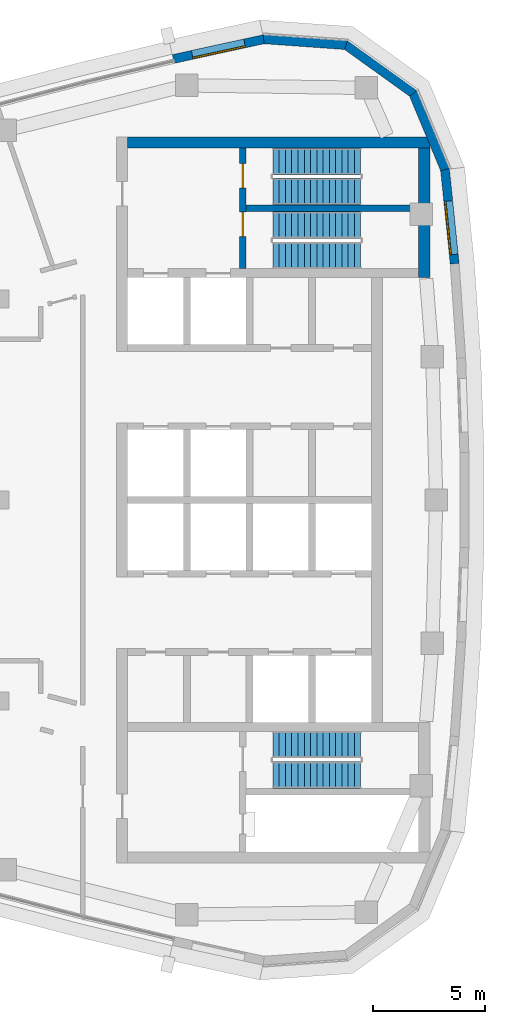
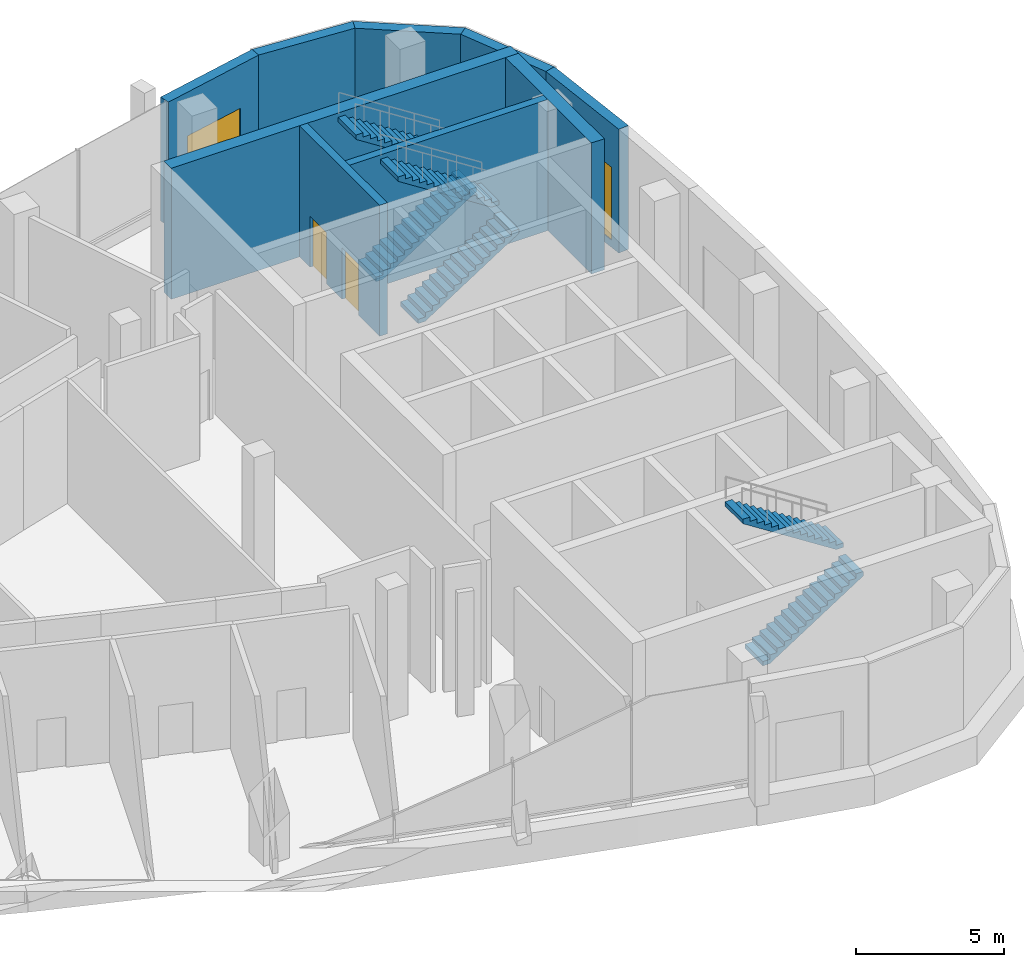
# One storey, part 10 of 15: 9 walls, 6 stair flights, 2 doors, 2 windows, 4 openings, 3 elements without a shape of their own.
"""IFC4 building model written with IfcOpenShell, lengths in metres."""

import ifcopenshell
import ifcopenshell.guid

model = None  # the IFC model being written
_history = None  # IfcOwnerHistory: only IFC2X3 demands one
_inside = {}  # id of a spatial element -> (the spatial element, [elements in it])
_under = {}  # id of a project, library or spatial element -> (it, [spatial elements below it])
_declared = {}  # id of a project -> (the project, [libraries it declares])
_typed = {}  # id of a type object -> (the type object, [elements of that type])
_made_of = {}  # id of a material, layer set ... -> (it, [elements and type objects made of it])


def new_model(schema):
    """Start an empty IFC model of exactly this schema.

    Asked for "IFC4X3", IfcOpenShell would pick the latest addendum, in which some entities
    have other attributes; the version numbers below select the first issue.
    IFC2X3 requires an IfcOwnerHistory on every rooted entity: one is made here for all.
    """
    global model, _history
    if schema == "IFC4X3":
        model = ifcopenshell.file(schema_version=(4, 3, 0, 0))
    else:
        model = ifcopenshell.file(schema=schema)
    _inside.clear()
    _under.clear()
    _declared.clear()
    _typed.clear()
    _made_of.clear()
    _history = None
    if model.schema == "IFC2X3":
        org = make("IfcOrganization", Name="unknown")
        user = make(
            "IfcPersonAndOrganization",
            ThePerson=make("IfcPerson", FamilyName="unknown"),
            TheOrganization=org,
        )
        app = make(
            "IfcApplication",
            ApplicationDeveloper=org,
            Version="unknown",
            ApplicationFullName="unknown",
            ApplicationIdentifier="unknown",
        )
        _history = make(
            "IfcOwnerHistory",
            OwningUser=user,
            OwningApplication=app,
            ChangeAction="ADDED",
            CreationDate=0,
        )
    return model


def make(cls, **values):
    """One entity of the class cls with the attributes given. An attribute that is None is left unset."""
    return model.create_entity(
        cls, **{name: value for name, value in values.items() if value is not None}
    )


def rooted(cls, **values):
    """An entity with a GlobalId (a new one), such as an element, a storey or a relation."""
    return make(cls, GlobalId=ifcopenshell.guid.new(), OwnerHistory=_history, **values)


def si_unit(unit_type, name, prefix=None):
    """IfcSIUnit, for example si_unit("LENGTHUNIT", "METRE", prefix="MILLI")."""
    return make("IfcSIUnit", UnitType=unit_type, Prefix=prefix, Name=name)


def assignment(units):
    """IfcUnitAssignment: the units of a project."""
    return None if units is None else make("IfcUnitAssignment", Units=units)


def point(xyz):
    """IfcCartesianPoint."""
    return None if xyz is None else make("IfcCartesianPoint", Coordinates=xyz)


def direction(xyz):
    """IfcDirection."""
    return None if xyz is None else make("IfcDirection", DirectionRatios=xyz)


def frame(location, z_axis=None, x_axis=None):
    """IfcAxis2Placement3D, a coordinate frame: its origin and axes. An axis left out is left unset."""
    return make(
        "IfcAxis2Placement3D",
        Location=point(location),
        Axis=direction(z_axis),
        RefDirection=direction(x_axis),
    )


def frame_2d(location, x_axis=None):
    """IfcAxis2Placement2D, a coordinate frame in the plane: its origin and x axis."""
    return make(
        "IfcAxis2Placement2D", Location=point(location), RefDirection=direction(x_axis)
    )


def origin():
    """The frame at (0, 0, 0) with its axes left unset."""
    return frame((0.0, 0.0, 0.0))


def place(relative_to, where):
    """IfcLocalPlacement: puts the frame where relative to a parent placement (None: the world)."""
    return make(
        "IfcLocalPlacement", PlacementRelTo=relative_to, RelativePlacement=where
    )


def context(
    kind, dimensions, precision=None, world=None, true_north=None, identifier=None
):
    """IfcGeometricRepresentationContext, for example the 3D "Model" context."""
    return make(
        "IfcGeometricRepresentationContext",
        ContextIdentifier=identifier,
        ContextType=kind,
        CoordinateSpaceDimension=dimensions,
        Precision=precision,
        WorldCoordinateSystem=world,
        TrueNorth=true_north,
    )


def subcontext(parent, identifier, kind, view, scale=None):
    """IfcGeometricRepresentationSubContext, for example "Body" below "Model"."""
    return make(
        "IfcGeometricRepresentationSubContext",
        ContextIdentifier=identifier,
        ContextType=kind,
        ParentContext=parent,
        TargetScale=scale,
        TargetView=view,
    )


def project(units=None, contexts=None):
    """IfcProject with its units and contexts."""
    return rooted(
        "IfcProject",
        Name="project",
        RepresentationContexts=contexts,
        UnitsInContext=assignment(units),
    )


def spatial(cls, under=None, at=None, **own):
    """A site, building, storey or space (cls), placed at a placement, below another one or the project."""
    s = rooted(cls, ObjectPlacement=at, **own)
    if under is not None:
        _under.setdefault(under.id(), (under, []))[1].append(s)
    return s


def polyline(points):
    """IfcPolyline through the points."""
    return make("IfcPolyline", Points=[point(p) for p in points])


def profile(cls, at=None, kind="AREA", **sizes):
    """A parametric profile (cls). Its sizes go by their IFC names, for example OverallWidth=200.0."""
    return make(cls, ProfileType=kind, Position=at, **sizes)


def rectangle(**sizes):
    """IfcRectangleProfileDef."""
    return profile("IfcRectangleProfileDef", **sizes)


def outline(outer, holes=None, kind="AREA"):
    """IfcArbitraryClosedProfileDef: a profile drawn as a closed curve; with holes, ...WithVoids."""
    if holes is None:
        return make("IfcArbitraryClosedProfileDef", ProfileType=kind, OuterCurve=outer)
    return make(
        "IfcArbitraryProfileDefWithVoids",
        ProfileType=kind,
        OuterCurve=outer,
        InnerCurves=holes,
    )


def extrude(swept, where, along, depth):
    """IfcExtrudedAreaSolid: the profile swept, set in the frame where, extruded along a direction by depth."""
    return make(
        "IfcExtrudedAreaSolid",
        SweptArea=swept,
        Position=where,
        ExtrudedDirection=direction(along),
        Depth=depth,
    )


def shape(context_of_items, identifier, shape_type, items):
    """IfcShapeRepresentation: the items that make up one representation, for example the "Body"."""
    return make(
        "IfcShapeRepresentation",
        ContextOfItems=context_of_items,
        RepresentationIdentifier=identifier,
        RepresentationType=shape_type,
        Items=items,
    )


def material(Name=None, Category=None):
    """IfcMaterial."""
    return make("IfcMaterial", Name=Name, Category=Category)


def layer(
    of_material, thickness, ventilated=None, Name=None, Category=None, Priority=None
):
    """IfcMaterialLayer: one layer of a wall or slab, of a material (None: an air gap)."""
    return make(
        "IfcMaterialLayer",
        Material=of_material,
        LayerThickness=thickness,
        IsVentilated=ventilated,
        Name=Name,
        Category=Category,
        Priority=Priority,
    )


def layer_set(layers, Name=None):
    """IfcMaterialLayerSet."""
    return make("IfcMaterialLayerSet", MaterialLayers=layers, LayerSetName=Name)


def made_of(thing, what):
    """Note that an element or type object is made of a material, layer set ...; save() writes the relation."""
    if what is not None:
        _made_of.setdefault(what.id(), (what, []))[1].append(thing)
    return thing


def type_object(cls, material=None, **own):
    """A type object (cls), such as IfcWallType, which elements share."""
    return made_of(rooted(cls, **own), material)


def element(
    cls,
    number,
    at=None,
    inside=None,
    cuts=None,
    type_object=None,
    material=None,
    context=None,
    identifier="Body",
    shape_type=None,
    held_by="IfcProductDefinitionShape",
    body=None,
    shapes=None,
    **own,
):
    """One element of the class cls, such as IfcWall. Its Tag is "e" and its number.

    at: its placement. inside: the storey or other place that contains it. cuts: it is an
    opening in that element (IfcRelVoidsElement). A single representation is given by context,
    identifier, shape_type and body (its items); several are given by shapes. held_by: the class
    of the entity that holds the representations. save() writes the other relations.
    """
    e = rooted(cls, Tag="e%d" % number, ObjectPlacement=at, **own)
    if body is not None:
        shapes = [shape(context, identifier, shape_type, body)]
    if shapes is not None:
        e.Representation = make(held_by, Representations=shapes)
    if inside is not None:
        _inside.setdefault(inside.id(), (inside, []))[1].append(e)
    if cuts is not None:
        rooted(
            "IfcRelVoidsElement", RelatingBuildingElement=cuts, RelatedOpeningElement=e
        )
    if type_object is not None:
        _typed.setdefault(type_object.id(), (type_object, []))[1].append(e)
    return made_of(e, material)


def fill(opening, filler):
    """IfcRelFillsElement: the door or window that sits in an opening."""
    return rooted(
        "IfcRelFillsElement",
        RelatingOpeningElement=opening,
        RelatedBuildingElement=filler,
    )


def aggregate(whole, parts):
    """IfcRelAggregates: a whole, such as a stair, and the parts it consists of."""
    return rooted("IfcRelAggregates", RelatingObject=whole, RelatedObjects=parts)


def save(model, path):
    """Write the relations noted so far, then the file.

    IfcRelAggregates (storeys below a building ...), IfcRelContainedInSpatialStructure (elements
    in a storey), IfcRelDefinesByType, IfcRelAssociatesMaterial and IfcRelDeclares: one each for
    every whole, place, type object, material and project.
    """
    for whole, parts in _under.values():
        aggregate(whole, parts)
    for where, things in _inside.values():
        rooted(
            "IfcRelContainedInSpatialStructure",
            RelatedElements=things,
            RelatingStructure=where,
        )
    for kind, things in _typed.values():
        rooted("IfcRelDefinesByType", RelatedObjects=things, RelatingType=kind)
    for what, things in _made_of.values():
        rooted("IfcRelAssociatesMaterial", RelatedObjects=things, RelatingMaterial=what)
    for by, libraries in _declared.values():
        rooted("IfcRelDeclares", RelatingContext=by, RelatedDefinitions=libraries)
    model.write(path)


model = new_model("IFC4")

# Units and contexts
model_context = context("Model", 3, precision=1e-05, world=origin(), true_north=direction((0.0, 1.0)))
body_context = subcontext(model_context, "Body", "Model", "MODEL_VIEW")
ifc_project = project(units=[si_unit("LENGTHUNIT", "METRE"), si_unit("AREAUNIT", "SQUARE_METRE"), si_unit("VOLUMEUNIT", "CUBIC_METRE"), si_unit("PLANEANGLEUNIT", "RADIAN"), si_unit("MASSUNIT", "GRAM", prefix="KILO")], contexts=[model_context])

# Site, building, storey
site_placement = place(None, origin())
site = spatial("IfcSite", under=ifc_project, at=site_placement, CompositionType="ELEMENT")
building_placement = place(site_placement, origin())
building = spatial("IfcBuilding", under=site, at=building_placement, Name="Ostrand Prow Hotel Tower", CompositionType="ELEMENT")
storey_placement = place(building_placement, frame((0.0, 0.0, 313.199951171875)))
storey = spatial("IfcBuildingStorey", under=building, at=storey_placement, Name="C2", CompositionType="ELEMENT", Elevation=313.199951171875)

# Wall, openings, doors
ifc_material_1 = material(Name="Concrete C40/50", Category="concrete")
ifc_layer_1 = layer(ifc_material_1, 0.300048828125)
ifc_layer_set_1 = layer_set([ifc_layer_1], Name="Concrete C40/50")
wall_type_1 = type_object("IfcWallType", Name="Core wall 300 C40/50", PredefinedType="SHEAR", material=ifc_layer_set_1)
wall_1_placement = place(storey_placement, frame((55.85009765625, 10.35009765625, 0.0), z_axis=(0.0, 0.0, 1.0), x_axis=(0.0, 1.0, 0.0)))
wall_1 = element("IfcWall", 1, at=wall_1_placement, inside=storey, type_object=wall_type_1, Name="Core wall PW-VN", PredefinedType="SHEAR", context=body_context, shape_type="SweptSolid", body=[
    extrude(rectangle(XDim=5.39990234375, YDim=0.300048828125, at=frame_2d((2.699951171875, 0.0))), origin(), (0.0, 0.0, 1.0), 5.400146484375),
])
opening_1_placement = place(wall_1_placement, frame((1.429931640625, 0.0, 0.0)))
opening_1 = element("IfcOpeningElement", 2, at=opening_1_placement, cuts=wall_1, Name="Opening FD1", PredefinedType="OPENING", context=body_context, shape_type="SweptSolid", body=[
    extrude(rectangle(XDim=1.10009765625, YDim=2.10009765625, at=frame_2d((0.550048828125, 1.050048828125))), frame((0.0, 0.159912109375, 0.0), z_axis=(0.0, -1.0, 0.0), x_axis=(1.0, 0.0, 0.0)), (0.0, 0.0, 1.0), 0.320068359375),
])
opening_2_placement = place(wall_1_placement, frame((3.60009765625, 0.0, 0.0)))
opening_2 = element("IfcOpeningElement", 3, at=opening_2_placement, cuts=wall_1, Name="Opening FD1", PredefinedType="OPENING", context=body_context, shape_type="SweptSolid", body=[
    extrude(rectangle(XDim=1.10009765625, YDim=2.10009765625, at=frame_2d((0.550048828125, 1.050048828125))), frame((0.0, 0.159912109375, 0.0), z_axis=(0.0, -1.0, 0.0), x_axis=(1.0, 0.0, 0.0)), (0.0, 0.0, 1.0), 0.320068359375),
])
ifc_material_2 = material(Name="Steel fire door", Category="steel")
door_type = type_object("IfcDoorType", Name="Fire door 1100 EI120", OperationType="SINGLE_SWING_RIGHT", PredefinedType="DOOR", material=ifc_material_2)
door_1_placement = place(opening_1_placement, origin())
door_1 = element("IfcDoor", 4, at=door_1_placement, inside=storey, type_object=door_type, Name="FIRE DOOR", OperationType="SINGLE_SWING_RIGHT", OverallHeight=2.10009765625, OverallWidth=1.10009765625, PredefinedType="DOOR", context=body_context, shape_type="SweptSolid", body=[
    extrude(rectangle(XDim=1.10009765625, YDim=2.10009765625, at=frame_2d((0.550048828125, 1.050048828125))), frame((0.0, 0.02490234375, 0.0), z_axis=(0.0, -1.0, 0.0), x_axis=(1.0, 0.0, 0.0)), (0.0, 0.0, 1.0), 0.050048828125),
])
fill(opening_1, door_1)
door_2_placement = place(opening_2_placement, origin())
door_2 = element("IfcDoor", 5, at=door_2_placement, inside=storey, type_object=door_type, Name="FIRE DOOR", OperationType="SINGLE_SWING_RIGHT", OverallHeight=2.10009765625, OverallWidth=1.10009765625, PredefinedType="DOOR", context=body_context, shape_type="SweptSolid", body=[
    extrude(rectangle(XDim=1.10009765625, YDim=2.10009765625, at=frame_2d((0.550048828125, 1.050048828125))), frame((0.0, 0.02490234375, 0.0), z_axis=(0.0, -1.0, 0.0), x_axis=(1.0, 0.0, 0.0)), (0.0, 0.0, 1.0), 0.050048828125),
])
fill(opening_2, door_2)

# Walls
wall_2_placement = place(storey_placement, frame((56.0, 13.050048828125, 0.0), z_axis=(0.0, 0.0, 1.0), x_axis=(1.0, 0.0, 0.0)))
element("IfcWall", 6, at=wall_2_placement, inside=storey, type_object=wall_type_1, Name="Core wall PW-ST13", PredefinedType="SHEAR", context=body_context, shape_type="SweptSolid", body=[
    extrude(rectangle(XDim=7.719970703125, YDim=0.300048828125, at=frame_2d((3.85986328125, 0.0))), origin(), (0.0, 0.0, 1.0), 5.400146484375),
])
ifc_material_3 = material(Name="Concrete C40/50", Category="concrete")
ifc_layer_2 = layer(ifc_material_3, 0.5)
ifc_layer_set_2 = layer_set([ifc_layer_2], Name="Concrete C40/50")
wall_type_2 = type_object("IfcWallType", Name="Core wall 500 C40/50", PredefinedType="SHEAR", material=ifc_layer_set_2)
wall_3_placement = place(storey_placement, frame((50.699951171875, 16.0, 0.0), z_axis=(0.0, 0.0, 1.0), x_axis=(1.0, 0.0, 0.0)))
element("IfcWall", 7, at=wall_3_placement, inside=storey, type_object=wall_type_2, Name="Core wall CW-N", PredefinedType="SHEAR", context=body_context, shape_type="SweptSolid", body=[
    extrude(rectangle(XDim=13.52001953125, YDim=0.5, at=frame_2d((6.760009765625, 0.0))), origin(), (0.0, 0.0, 1.0), 5.400146484375),
])
wall_4_placement = place(storey_placement, frame((63.969970703125, 9.949951171875, 0.0), z_axis=(0.0, 0.0, 1.0), x_axis=(0.0, 1.0, 0.0)))
element("IfcWall", 8, at=wall_4_placement, inside=storey, type_object=wall_type_2, Name="Core wall CW-E-N", PredefinedType="SHEAR", context=body_context, shape_type="SweptSolid", body=[
    extrude(rectangle(XDim=5.800048828125, YDim=0.5, at=frame_2d((2.89990234375, 0.0))), origin(), (0.0, 0.0, 1.0), 5.400146484375),
])

# Wall, opening, window
ifc_material_4 = material(Name="Precast concrete C40/50", Category="concrete")
ifc_layer_3 = layer(ifc_material_4, 0.39990234375)
ifc_layer_set_3 = layer_set([ifc_layer_3], Name="Precast concrete C40/50")
wall_type_3 = type_object("IfcWallType", Name="Stone-faced precast wall 400 mm", PredefinedType="NOTDEFINED", material=ifc_layer_set_3)
wall_5_placement = place(storey_placement, frame((65.3310546875, 10.5712890625, 0.0), z_axis=(0.0, 0.0, 1.0), x_axis=(-0.102249826987, 0.994758751096, 0.0)))
wall_5 = element("IfcWall", 9, at=wall_5_placement, inside=storey, type_object=wall_type_3, Name="Stone-faced wall back 11", PredefinedType="NOTDEFINED", context=body_context, shape_type="SweptSolid", body=[
    extrude(outline(polyline([(-0.00341796875, -0.199951171875), (4.262939453125, -0.199951171875), (4.203857421875, 0.199951171875), (0.00341796875, 0.199951171875), (-0.00341796875, -0.199951171875)])), origin(), (0.0, 0.0, 1.0), 5.10009765625),
])
opening_3_placement = place(wall_5_placement, frame((0.416748046875, 0.0, 0.300048828125)))
opening_3 = element("IfcOpeningElement", 10, at=opening_3_placement, cuts=wall_5, Name="Opening WR1", PredefinedType="OPENING", context=body_context, shape_type="SweptSolid", body=[
    extrude(rectangle(XDim=2.39990234375, YDim=3.0, at=frame_2d((1.199951171875, 1.5))), frame((0.0, 0.2099609375, 0.0), z_axis=(0.0, -1.0, 0.0), x_axis=(1.0, 0.0, 0.0)), (0.0, 0.0, 1.0), 0.419921875),
])
ifc_material_5 = material(Name="Insulated glass in bronze frame", Category="glass")
window_type = type_object("IfcWindowType", Name="Restaurant window 2400x3000", PartitioningType="SINGLE_PANEL", PredefinedType="WINDOW", material=ifc_material_5)
window_1_placement = place(opening_3_placement, origin())
window_1 = element("IfcWindow", 11, at=window_1_placement, inside=storey, type_object=window_type, Name="Window back 11.1", OverallHeight=3.0, OverallWidth=2.39990234375, PartitioningType="SINGLE_PANEL", PredefinedType="WINDOW", context=body_context, shape_type="SweptSolid", body=[
    extrude(rectangle(XDim=2.39990234375, YDim=3.0, at=frame_2d((1.199951171875, 1.5))), frame((0.0, 0.169921875, 0.0), z_axis=(0.0, -1.0, 0.0), x_axis=(1.0, 0.0, 0.0)), (0.0, 0.0, 1.0), 0.06005859375),
])
fill(opening_3, window_1)

# Walls
wall_6_placement = place(storey_placement, frame((64.898193359375, 14.782470703125, 0.0), z_axis=(0.0, 0.0, 1.0), x_axis=(-0.385285857918, 0.922797273343, 0.0)))
element("IfcWall", 12, at=wall_6_placement, inside=storey, type_object=wall_type_3, Name="Stone-faced wall back 12", PredefinedType="NOTDEFINED", context=body_context, shape_type="SweptSolid", body=[
    extrude(outline(polyline([(-0.029541015625, -0.199951171875), (3.75341796875, -0.199951171875), (3.64013671875, 0.199951171875), (0.029541015625, 0.199951171875), (-0.029541015625, -0.199951171875)])), origin(), (0.0, 0.0, 1.0), 5.10009765625),
])
wall_7_placement = place(storey_placement, frame((63.473876953125, 18.19384765625, 0.0), z_axis=(0.0, 0.0, 1.0), x_axis=(-0.811962548682, 0.583709533533, 0.0)))
element("IfcWall", 13, at=wall_7_placement, inside=storey, type_object=wall_type_3, Name="Stone-faced wall back 13", PredefinedType="NOTDEFINED", context=body_context, shape_type="SweptSolid", body=[
    extrude(outline(polyline([(-0.056640625, -0.199951171875), (3.753173828125, -0.199951171875), (3.639892578125, 0.199951171875), (0.056640625, 0.199951171875), (-0.056640625, -0.199951171875)])), origin(), (0.0, 0.0, 1.0), 5.10009765625),
])
wall_8_placement = place(storey_placement, frame((60.472412109375, 20.3515625, 0.0), z_axis=(0.0, 0.0, 1.0), x_axis=(-0.99746272096, 0.071190731806, 0.0)))
element("IfcWall", 14, at=wall_8_placement, inside=storey, type_object=wall_type_3, Name="Stone-faced wall back 14", PredefinedType="NOTDEFINED", context=body_context, shape_type="SweptSolid", body=[
    extrude(outline(polyline([(-0.056640625, -0.199951171875), (3.7255859375, -0.199951171875), (3.66796875, 0.199951171875), (0.056640625, 0.199951171875), (-0.056640625, -0.199951171875)])), origin(), (0.0, 0.0, 1.0), 5.10009765625),
])

# Wall, opening, window
wall_9_placement = place(storey_placement, frame((56.784912109375, 20.61474609375, 0.0), z_axis=(0.0, 0.0, 1.0), x_axis=(-0.977020225348, -0.213146614471, 0.0)))
wall_9 = element("IfcWall", 15, at=wall_9_placement, inside=storey, type_object=wall_type_3, Name="Stone-faced wall back 15", PredefinedType="NOTDEFINED", context=body_context, shape_type="SweptSolid", body=[
    extrude(outline(polyline([(-0.02880859375, -0.199951171875), (4.141845703125, -0.199951171875), (4.141845703125, 0.199951171875), (0.02880859375, 0.199951171875), (-0.02880859375, -0.199951171875)])), origin(), (0.0, 0.0, 1.0), 5.10009765625),
])
opening_4_placement = place(wall_9_placement, frame((0.870849609375, 0.0, 0.300048828125)))
opening_4 = element("IfcOpeningElement", 16, at=opening_4_placement, cuts=wall_9, Name="Opening WR1", PredefinedType="OPENING", context=body_context, shape_type="SweptSolid", body=[
    extrude(rectangle(XDim=2.39990234375, YDim=3.0, at=frame_2d((1.199951171875, 1.5))), frame((0.0, 0.2099609375, 0.0), z_axis=(0.0, -1.0, 0.0), x_axis=(1.0, 0.0, 0.0)), (0.0, 0.0, 1.0), 0.419921875),
])
window_2_placement = place(opening_4_placement, origin())
window_2 = element("IfcWindow", 17, at=window_2_placement, inside=storey, type_object=window_type, Name="Window back 15.1", OverallHeight=3.0, OverallWidth=2.39990234375, PartitioningType="SINGLE_PANEL", PredefinedType="WINDOW", context=body_context, shape_type="SweptSolid", body=[
    extrude(rectangle(XDim=2.39990234375, YDim=3.0, at=frame_2d((1.199951171875, 1.5))), frame((0.0, 0.169921875, 0.0), z_axis=(0.0, -1.0, 0.0), x_axis=(1.0, 0.0, 0.0)), (0.0, 0.0, 1.0), 0.06005859375),
])
fill(opening_4, window_2)

# Stair, stair flights
ifc_material_6 = material(Name="Concrete C40/50", Category="concrete")
stair_type = type_object("IfcStairType", Name="Exit stair 1200 upper zone", PredefinedType="HALF_TURN_STAIR", material=ifc_material_6)
stair_1_placement = place(storey_placement, origin())
stair_1 = element("IfcStair", 18, at=stair_1_placement, inside=storey, type_object=stair_type, Name="C2 ST1C", PredefinedType="HALF_TURN_STAIR")
ifc_material_7 = material(Name="Concrete C40/50", Category="concrete")
stair_flight_type = type_object("IfcStairFlightType", Name="Stair flight 1200 concrete", PredefinedType="STRAIGHT", material=ifc_material_7)
stair_flight_1_placement = place(storey_placement, frame((57.199951171875, 10.949951171875, 0.0), z_axis=(0.0, 0.0, 1.0), x_axis=(1.0, 0.0, 0.0)))
stair_flight_1 = element("IfcStairFlight", 19, at=stair_flight_1_placement, type_object=stair_flight_type, Name="ST1C flight 1", NumberOfRisers=15, NumberOfTreads=14, PredefinedType="STRAIGHT", RiserHeight=0.18, TreadLength=0.28, context=body_context, shape_type="SweptSolid", body=[
    extrude(outline(polyline([(0.0, 0.0), (0.0, 0.179931640625), (0.280029296875, 0.179931640625), (0.280029296875, 0.360107421875), (0.56005859375, 0.360107421875), (0.56005859375, 0.5400390625), (0.840087890625, 0.5400390625), (0.840087890625, 0.719970703125), (1.1201171875, 0.719970703125), (1.1201171875, 0.89990234375), (1.39990234375, 0.89990234375), (1.39990234375, 1.080078125), (1.679931640625, 1.080078125), (1.679931640625, 1.260009765625), (1.9599609375, 1.260009765625), (1.9599609375, 1.43994140625), (2.239990234375, 1.43994140625), (2.239990234375, 1.6201171875), (2.52001953125, 1.6201171875), (2.52001953125, 1.800048828125), (2.800048828125, 1.800048828125), (2.800048828125, 1.97998046875), (3.080078125, 1.97998046875), (3.080078125, 2.159912109375), (3.360107421875, 2.159912109375), (3.360107421875, 2.340087890625), (3.639892578125, 2.340087890625), (3.639892578125, 2.52001953125), (3.919921875, 2.52001953125), (3.919921875, 2.699951171875), (3.919921875, 2.341796875), (0.277099609375, 0.0), (0.0, 0.0)])), frame((0.0, 0.60009765625, 0.0), z_axis=(0.0, -1.0, 0.0), x_axis=(1.0, 0.0, 0.0)), (0.0, 0.0, 1.0), 1.199951171875),
])
stair_flight_2_placement = place(storey_placement, frame((61.1201171875, 12.300048828125, 2.699951171875), z_axis=(0.0, 0.0, 1.0), x_axis=(-1.0, 0.0, 0.0)))
stair_flight_2 = element("IfcStairFlight", 20, at=stair_flight_2_placement, type_object=stair_flight_type, Name="ST1C flight 2", NumberOfRisers=15, NumberOfTreads=14, PredefinedType="STRAIGHT", RiserHeight=0.18, TreadLength=0.28, context=body_context, shape_type="SweptSolid", body=[
    extrude(outline(polyline([(0.0, 0.0), (0.0, 0.179931640625), (0.280029296875, 0.179931640625), (0.280029296875, 0.360107421875), (0.56005859375, 0.360107421875), (0.56005859375, 0.5400390625), (0.840087890625, 0.5400390625), (0.840087890625, 0.719970703125), (1.1201171875, 0.719970703125), (1.1201171875, 0.89990234375), (1.39990234375, 0.89990234375), (1.39990234375, 1.080078125), (1.679931640625, 1.080078125), (1.679931640625, 1.260009765625), (1.9599609375, 1.260009765625), (1.9599609375, 1.43994140625), (2.239990234375, 1.43994140625), (2.239990234375, 1.6201171875), (2.52001953125, 1.6201171875), (2.52001953125, 1.800048828125), (2.800048828125, 1.800048828125), (2.800048828125, 1.97998046875), (3.080078125, 1.97998046875), (3.080078125, 2.159912109375), (3.360107421875, 2.159912109375), (3.360107421875, 2.340087890625), (3.639892578125, 2.340087890625), (3.639892578125, 2.52001953125), (3.919921875, 2.52001953125), (3.919921875, 2.699951171875), (3.919921875, 2.341796875), (0.277099609375, 0.0), (0.0, 0.0)])), frame((0.0, 0.60009765625, 0.0), z_axis=(0.0, -1.0, 0.0), x_axis=(1.0, 0.0, 0.0)), (0.0, 0.0, 1.0), 1.199951171875),
])
aggregate(stair_1, [stair_flight_1, stair_flight_2])

stair_2_placement = place(storey_placement, origin())
stair_2 = element("IfcStair", 21, at=stair_2_placement, inside=storey, type_object=stair_type, Name="C2 ST3C", PredefinedType="HALF_TURN_STAIR")
stair_flight_3_placement = place(storey_placement, frame((57.199951171875, 13.800048828125, 0.0), z_axis=(0.0, 0.0, 1.0), x_axis=(1.0, 0.0, 0.0)))
stair_flight_3 = element("IfcStairFlight", 22, at=stair_flight_3_placement, type_object=stair_flight_type, Name="ST3C flight 1", NumberOfRisers=15, NumberOfTreads=14, PredefinedType="STRAIGHT", RiserHeight=0.18, TreadLength=0.28, context=body_context, shape_type="SweptSolid", body=[
    extrude(outline(polyline([(0.0, 0.0), (0.0, 0.179931640625), (0.280029296875, 0.179931640625), (0.280029296875, 0.360107421875), (0.56005859375, 0.360107421875), (0.56005859375, 0.5400390625), (0.840087890625, 0.5400390625), (0.840087890625, 0.719970703125), (1.1201171875, 0.719970703125), (1.1201171875, 0.89990234375), (1.39990234375, 0.89990234375), (1.39990234375, 1.080078125), (1.679931640625, 1.080078125), (1.679931640625, 1.260009765625), (1.9599609375, 1.260009765625), (1.9599609375, 1.43994140625), (2.239990234375, 1.43994140625), (2.239990234375, 1.6201171875), (2.52001953125, 1.6201171875), (2.52001953125, 1.800048828125), (2.800048828125, 1.800048828125), (2.800048828125, 1.97998046875), (3.080078125, 1.97998046875), (3.080078125, 2.159912109375), (3.360107421875, 2.159912109375), (3.360107421875, 2.340087890625), (3.639892578125, 2.340087890625), (3.639892578125, 2.52001953125), (3.919921875, 2.52001953125), (3.919921875, 2.699951171875), (3.919921875, 2.341796875), (0.277099609375, 0.0), (0.0, 0.0)])), frame((0.0, 0.60009765625, 0.0), z_axis=(0.0, -1.0, 0.0), x_axis=(1.0, 0.0, 0.0)), (0.0, 0.0, 1.0), 1.199951171875),
])
stair_flight_4_placement = place(storey_placement, frame((61.1201171875, 15.14990234375, 2.699951171875), z_axis=(0.0, 0.0, 1.0), x_axis=(-1.0, 0.0, 0.0)))
stair_flight_4 = element("IfcStairFlight", 23, at=stair_flight_4_placement, type_object=stair_flight_type, Name="ST3C flight 2", NumberOfRisers=15, NumberOfTreads=14, PredefinedType="STRAIGHT", RiserHeight=0.18, TreadLength=0.28, context=body_context, shape_type="SweptSolid", body=[
    extrude(outline(polyline([(0.0, 0.0), (0.0, 0.179931640625), (0.280029296875, 0.179931640625), (0.280029296875, 0.360107421875), (0.56005859375, 0.360107421875), (0.56005859375, 0.5400390625), (0.840087890625, 0.5400390625), (0.840087890625, 0.719970703125), (1.1201171875, 0.719970703125), (1.1201171875, 0.89990234375), (1.39990234375, 0.89990234375), (1.39990234375, 1.080078125), (1.679931640625, 1.080078125), (1.679931640625, 1.260009765625), (1.9599609375, 1.260009765625), (1.9599609375, 1.43994140625), (2.239990234375, 1.43994140625), (2.239990234375, 1.6201171875), (2.52001953125, 1.6201171875), (2.52001953125, 1.800048828125), (2.800048828125, 1.800048828125), (2.800048828125, 1.97998046875), (3.080078125, 1.97998046875), (3.080078125, 2.159912109375), (3.360107421875, 2.159912109375), (3.360107421875, 2.340087890625), (3.639892578125, 2.340087890625), (3.639892578125, 2.52001953125), (3.919921875, 2.52001953125), (3.919921875, 2.699951171875), (3.919921875, 2.341796875), (0.277099609375, 0.0), (0.0, 0.0)])), frame((0.0, 0.60009765625, 0.0), z_axis=(0.0, -1.0, 0.0), x_axis=(1.0, 0.0, 0.0)), (0.0, 0.0, 1.0), 1.199951171875),
])
aggregate(stair_2, [stair_flight_3, stair_flight_4])

stair_3_placement = place(storey_placement, origin())
stair_3 = element("IfcStair", 24, at=stair_3_placement, inside=storey, type_object=stair_type, Name="C2 ST2C", PredefinedType="HALF_TURN_STAIR")
stair_flight_5_placement = place(storey_placement, frame((57.199951171875, -12.300048828125, 0.0), z_axis=(0.0, 0.0, 1.0), x_axis=(1.0, 0.0, 0.0)))
stair_flight_5 = element("IfcStairFlight", 25, at=stair_flight_5_placement, type_object=stair_flight_type, Name="ST2C flight 1", NumberOfRisers=15, NumberOfTreads=14, PredefinedType="STRAIGHT", RiserHeight=0.18, TreadLength=0.28, context=body_context, shape_type="SweptSolid", body=[
    extrude(outline(polyline([(0.0, 0.0), (0.0, 0.179931640625), (0.280029296875, 0.179931640625), (0.280029296875, 0.360107421875), (0.56005859375, 0.360107421875), (0.56005859375, 0.5400390625), (0.840087890625, 0.5400390625), (0.840087890625, 0.719970703125), (1.1201171875, 0.719970703125), (1.1201171875, 0.89990234375), (1.39990234375, 0.89990234375), (1.39990234375, 1.080078125), (1.679931640625, 1.080078125), (1.679931640625, 1.260009765625), (1.9599609375, 1.260009765625), (1.9599609375, 1.43994140625), (2.239990234375, 1.43994140625), (2.239990234375, 1.6201171875), (2.52001953125, 1.6201171875), (2.52001953125, 1.800048828125), (2.800048828125, 1.800048828125), (2.800048828125, 1.97998046875), (3.080078125, 1.97998046875), (3.080078125, 2.159912109375), (3.360107421875, 2.159912109375), (3.360107421875, 2.340087890625), (3.639892578125, 2.340087890625), (3.639892578125, 2.52001953125), (3.919921875, 2.52001953125), (3.919921875, 2.699951171875), (3.919921875, 2.341796875), (0.277099609375, 0.0), (0.0, 0.0)])), frame((0.0, 0.60009765625, 0.0), z_axis=(0.0, -1.0, 0.0), x_axis=(1.0, 0.0, 0.0)), (0.0, 0.0, 1.0), 1.199951171875),
])
stair_flight_6_placement = place(storey_placement, frame((61.1201171875, -10.949951171875, 2.699951171875), z_axis=(0.0, 0.0, 1.0), x_axis=(-1.0, 0.0, 0.0)))
stair_flight_6 = element("IfcStairFlight", 26, at=stair_flight_6_placement, type_object=stair_flight_type, Name="ST2C flight 2", NumberOfRisers=15, NumberOfTreads=14, PredefinedType="STRAIGHT", RiserHeight=0.18, TreadLength=0.28, context=body_context, shape_type="SweptSolid", body=[
    extrude(outline(polyline([(0.0, 0.0), (0.0, 0.179931640625), (0.280029296875, 0.179931640625), (0.280029296875, 0.360107421875), (0.56005859375, 0.360107421875), (0.56005859375, 0.5400390625), (0.840087890625, 0.5400390625), (0.840087890625, 0.719970703125), (1.1201171875, 0.719970703125), (1.1201171875, 0.89990234375), (1.39990234375, 0.89990234375), (1.39990234375, 1.080078125), (1.679931640625, 1.080078125), (1.679931640625, 1.260009765625), (1.9599609375, 1.260009765625), (1.9599609375, 1.43994140625), (2.239990234375, 1.43994140625), (2.239990234375, 1.6201171875), (2.52001953125, 1.6201171875), (2.52001953125, 1.800048828125), (2.800048828125, 1.800048828125), (2.800048828125, 1.97998046875), (3.080078125, 1.97998046875), (3.080078125, 2.159912109375), (3.360107421875, 2.159912109375), (3.360107421875, 2.340087890625), (3.639892578125, 2.340087890625), (3.639892578125, 2.52001953125), (3.919921875, 2.52001953125), (3.919921875, 2.699951171875), (3.919921875, 2.341796875), (0.277099609375, 0.0), (0.0, 0.0)])), frame((0.0, 0.60009765625, 0.0), z_axis=(0.0, -1.0, 0.0), x_axis=(1.0, 0.0, 0.0)), (0.0, 0.0, 1.0), 1.199951171875),
])
aggregate(stair_3, [stair_flight_5, stair_flight_6])

save(model, "model.ifc")
